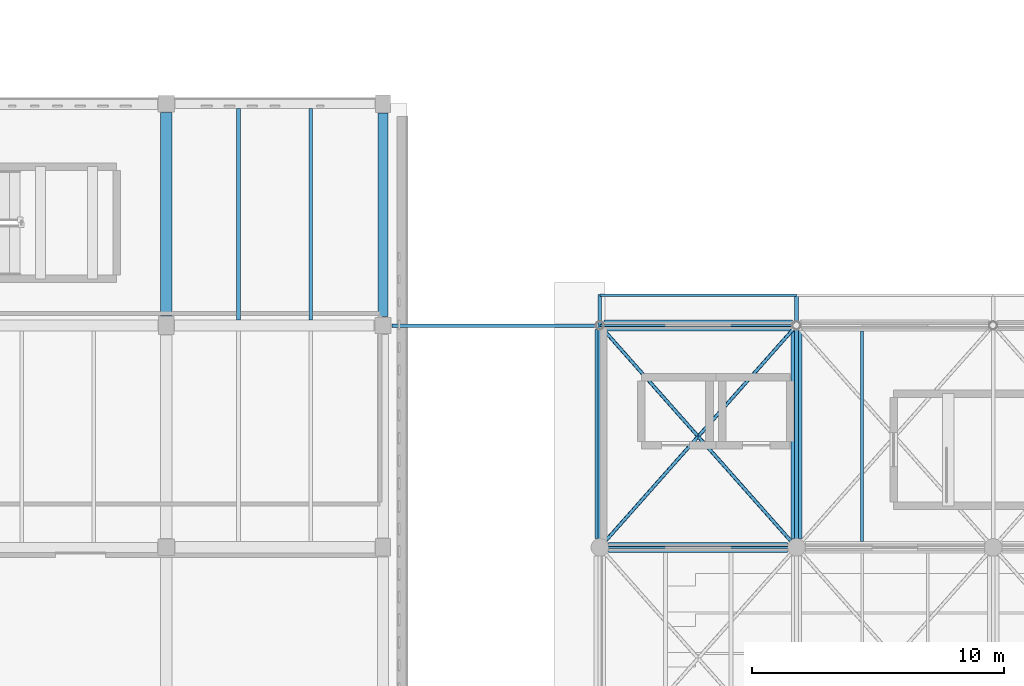
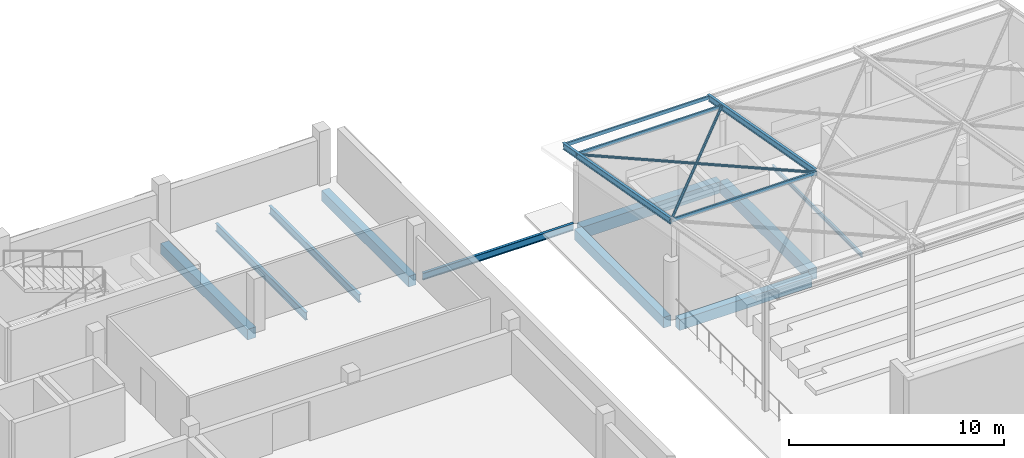
# One storey, part 6 of 34: 10 beams, 7 members.
"""IFC4 building model written with IfcOpenShell, lengths in metres."""

from ifc_helpers import new_model, si_unit, direction, frame, origin, origin_2d, place, context, subcontext, project, spatial, rectangle, hollow_rectangle, hollow_circle, i_section, extrude, material, material_profile, profile_set, type_object, element, save


model = new_model("IFC4")

# Units and contexts
model_context = context("Model", 3, precision=1e-05, world=origin(), true_north=direction((0.0, 1.0)))
body_context = subcontext(model_context, "Body", "Model", "MODEL_VIEW")
ifc_project = project(units=[si_unit("LENGTHUNIT", "METRE"), si_unit("AREAUNIT", "SQUARE_METRE"), si_unit("VOLUMEUNIT", "CUBIC_METRE"), si_unit("PLANEANGLEUNIT", "RADIAN"), si_unit("MASSUNIT", "GRAM", prefix="KILO")], contexts=[model_context])

# Site, building, storey
site_placement = place(None, origin())
site = spatial("IfcSite", under=ifc_project, at=site_placement, CompositionType="ELEMENT")
building_placement = place(site_placement, origin())
building = spatial("IfcBuilding", under=site, at=building_placement, Name="Varnakota Cinema and Media Centre", CompositionType="ELEMENT")
storey_placement = place(building_placement, frame((0.0, 0.0, 19.050048828125)))
storey = spatial("IfcBuildingStorey", under=building, at=storey_placement, Name="L05", CompositionType="ELEMENT", Elevation=19.050048828125)

# Beams
ifc_material_1 = material(Name="Concrete M35", Category="concrete")
ifc_material_profile_1 = material_profile(ifc_material_1, rectangle(XDim=0.39990234375, YDim=0.60009765625, at=origin_2d()), Name="RCB 400x600")
ifc_profile_set_1 = profile_set([ifc_material_profile_1], Name="Concrete M35")
beam_type_1 = type_object("IfcBeamType", Name="BM-RC-400x600", PredefinedType="BEAM", material=ifc_profile_set_1)
beam_1_placement = place(storey_placement, frame((51.949951171875, 17.60009765625, -0.550048828125), z_axis=(1.0, 0.0, 0.0), x_axis=(0.0, 1.0, 0.0)))
element("IfcBeam", 1, at=beam_1_placement, inside=storey, type_object=beam_type_1, Name="L05 girder G-H/3", PredefinedType="BEAM", context=body_context, shape_type="SweptSolid", body=[
    extrude(rectangle(XDim=0.39990234375, YDim=0.60009765625, at=origin_2d()), origin(), (0.0, 0.0, 1.0), 7.10009765625),
])
beam_2_placement = place(storey_placement, frame((43.0, 26.75, -0.550048828125), z_axis=(0.0, 1.0, 0.0), x_axis=(-1.0, 0.0, 0.0)))
element("IfcBeam", 2, at=beam_2_placement, inside=storey, type_object=beam_type_1, Name="L05 girder F/4-5", PredefinedType="BEAM", context=body_context, shape_type="SweptSolid", body=[
    extrude(rectangle(XDim=0.39990234375, YDim=0.60009765625, at=origin_2d()), origin(), (0.0, 0.0, 1.0), 8.074951171875),
])
beam_3_placement = place(storey_placement, frame((51.60009765625, 17.949951171875, -0.550048828125), z_axis=(0.0, 1.0, 0.0), x_axis=(-1.0, 0.0, 0.0)))
element("IfcBeam", 3, at=beam_3_placement, inside=storey, type_object=beam_type_1, Name="L05 girder G/3-4", PredefinedType="BEAM", context=body_context, shape_type="SweptSolid", body=[
    extrude(rectangle(XDim=0.39990234375, YDim=0.60009765625, at=origin_2d()), origin(), (0.0, 0.0, 1.0), 8.2880859375),
])
ifc_material_2 = material(Name="Concrete M35", Category="concrete")
ifc_material_profile_2 = material_profile(ifc_material_2, rectangle(XDim=0.449951171875, YDim=0.60009765625, at=origin_2d()), Name="RCB 450x600")
ifc_profile_set_2 = profile_set([ifc_material_profile_2], Name="Concrete M35")
beam_type_2 = type_object("IfcBeamType", Name="BM-RC-450x600", PredefinedType="BEAM", material=ifc_profile_set_2)
beam_4_placement = place(storey_placement, frame((34.39990234375, 26.77490234375, -0.550048828125), z_axis=(0.0, 1.0, 0.0), x_axis=(-1.0, 0.0, 0.0)))
element("IfcBeam", 4, at=beam_4_placement, inside=storey, type_object=beam_type_2, Name="L05 girder E/4-5", PredefinedType="BEAM", context=body_context, shape_type="SweptSolid", body=[
    extrude(rectangle(XDim=0.449951171875, YDim=0.60009765625, at=origin_2d()), origin(), (0.0, 0.0, 1.0), 8.0751953125),
])
ifc_material_3 = material(Name="Concrete M35", Category="concrete")
ifc_material_profile_3 = material_profile(ifc_material_3, rectangle(XDim=0.449951171875, YDim=0.64990234375, at=origin_2d()), Name="RCB 450x650")
ifc_profile_set_3 = profile_set([ifc_material_profile_3], Name="Concrete M35")
beam_type_3 = type_object("IfcBeamType", Name="BM-RC-450x650", PredefinedType="BEAM", material=ifc_profile_set_3)
beam_5_placement = place(storey_placement, frame((51.761962890625, 26.39990234375, -0.574951171875), z_axis=(1.0, 0.0, 0.0), x_axis=(0.0, 1.0, 0.0)))
element("IfcBeam", 5, at=beam_5_placement, inside=storey, type_object=beam_type_3, Name="L05 girder G-H/4", PredefinedType="BEAM", context=body_context, shape_type="SweptSolid", body=[
    extrude(rectangle(XDim=0.449951171875, YDim=0.64990234375, at=origin_2d()), origin(), (0.0, 0.0, 1.0), 7.47607421875),
])
beam_6_placement = place(storey_placement, frame((59.39990234375, 17.949951171875, -0.574951171875), z_axis=(0.0, 1.0, 0.0), x_axis=(-1.0, 0.0, 0.0)))
element("IfcBeam", 6, at=beam_6_placement, inside=storey, type_object=beam_type_3, Name="L05 girder H/3-4", PredefinedType="BEAM", context=body_context, shape_type="SweptSolid", body=[
    extrude(rectangle(XDim=0.449951171875, YDim=0.64990234375, at=origin_2d()), origin(), (0.0, 0.0, 1.0), 8.2880859375),
])
ifc_material_4 = material(Name="Structural steel Grade 350 (E350)", Category="steel")
ifc_material_profile_4 = material_profile(ifc_material_4, i_section(OverallWidth=0.110107421875, OverallDepth=0.22509765625, WebThickness=0.006591796875, FlangeThickness=0.01171875, FilletRadius=0.011962890625, at=origin_2d()), Name="ISMB 225")
ifc_profile_set_4 = profile_set([ifc_material_profile_4], Name="Structural steel Grade 350 (E350)")
beam_type_4 = type_object("IfcBeamType", Name="BM-ST-ISMB225", PredefinedType="JOIST", material=ifc_profile_set_4)
beam_7_placement = place(storey_placement, frame((62.0, 17.824951171875, -0.362548828125), z_axis=(0.0, 1.0, 0.0), x_axis=(-1.0, 0.0, 0.0)))
element("IfcBeam", 7, at=beam_7_placement, inside=storey, type_object=beam_type_4, Name="L05 steel joist H-J/3-4 #1", PredefinedType="JOIST", context=body_context, shape_type="SweptSolid", body=[
    extrude(i_section(OverallWidth=0.110107421875, OverallDepth=0.22509765625, WebThickness=0.006591796875, FlangeThickness=0.01171875, FilletRadius=0.011962890625, at=origin_2d()), origin(), (0.0, 0.0, 1.0), 8.35009765625),
])
ifc_material_5 = material(Name="Structural steel Grade 350 (E350)", Category="steel")
ifc_material_profile_5 = material_profile(ifc_material_5, i_section(OverallWidth=0.139892578125, OverallDepth=0.39990234375, WebThickness=0.0087890625, FlangeThickness=0.01611328125, FilletRadius=0.013916015625, at=origin_2d()), Name="ISMB 400")
ifc_profile_set_5 = profile_set([ifc_material_profile_5], Name="Structural steel Grade 350 (E350)")
beam_type_5 = type_object("IfcBeamType", Name="BM-ST-ISMB400", PredefinedType="JOIST", material=ifc_profile_set_5)
beam_8_placement = place(storey_placement, frame((43.35009765625, 26.39990234375, -0.199951171875), z_axis=(1.0, 0.0, 0.0), x_axis=(0.0, 1.0, 0.0)))
element("IfcBeam", 8, at=beam_8_placement, inside=storey, type_object=beam_type_5, Name="L05 girder F-G/4", PredefinedType="JOIST", context=body_context, shape_type="SweptSolid", body=[
    extrude(i_section(OverallWidth=0.139892578125, OverallDepth=0.39990234375, WebThickness=0.0087890625, FlangeThickness=0.01611328125, FilletRadius=0.013916015625, at=origin_2d()), origin(), (0.0, 0.0, 1.0), 8.087890625),
])
ifc_material_6 = material(Name="Structural steel Grade 350 (E350)", Category="steel")
ifc_material_profile_6 = material_profile(ifc_material_6, i_section(OverallWidth=0.14990234375, OverallDepth=0.449951171875, WebThickness=0.009521484375, FlangeThickness=0.017333984375, FilletRadius=0.014892578125, at=origin_2d()), Name="ISMB 450")
ifc_profile_set_6 = profile_set([ifc_material_profile_6], Name="Structural steel Grade 350 (E350)")
beam_type_6 = type_object("IfcBeamType", Name="BM-ST-ISMB450", PredefinedType="BEAM", material=ifc_profile_set_6)
for number, where, z_axis, x_axis, name in (
    (9, (37.2666015625, 26.625, -0.47509765625), (0.0, 1.0, 0.0), (-1.0, 0.0, 0.0), "L05 steel joist E-F/4-5 #1"),
    (10, (40.13330078125, 26.625, -0.47509765625), (0.0, 1.0, 0.0), (-1.0, 0.0, 0.0), "L05 steel joist E-F/4-5 #2"),
):
    element("IfcBeam", number, at=place(storey_placement, frame(where, z_axis=z_axis, x_axis=x_axis)), inside=storey, type_object=beam_type_6, Name=name, PredefinedType="BEAM", context=body_context, shape_type="SweptSolid", body=[
        extrude(i_section(OverallWidth=0.14990234375, OverallDepth=0.449951171875, WebThickness=0.009521484375, FlangeThickness=0.017333984375, FilletRadius=0.014892578125, at=origin_2d()), origin(), (0.0, 0.0, 1.0), 8.375),
    ])

# Members
ifc_material_7 = material(Name="Structural steel S355 (YSt 355)", Category="steel")
ifc_material_profile_7 = material_profile(ifc_material_7, hollow_circle(Radius=0.06982421875, WallThickness=0.006103515625, at=origin_2d()), Name="CHS 139.7x6.0")
ifc_profile_set_7 = profile_set([ifc_material_profile_7], Name="Structural steel S355 (YSt 355)")
member_type_1 = type_object("IfcMemberType", Name="MEM-ST-CHS139_7x6_0", PredefinedType="CHORD", material=ifc_profile_set_7)
for number, where, z_axis, x_axis, name in (
    (11, (51.60009765625, 17.60009765625, 5.39990234375), (0.657369207518, 0.741649421427, -0.133498541955), (-0.748347876133, 0.663306457294, 0.0), "V3 canopy diagrid A 1.2"),
    (12, (59.39990234375, 17.60009765625, 5.39990234375), (-0.657369207518, 0.741649421427, -0.133498541955), (-0.748347876133, -0.663306457294, 0.0), "V3 canopy diagrid B 1.2"),
):
    element("IfcMember", number, at=place(storey_placement, frame(where, z_axis=z_axis, x_axis=x_axis)), inside=storey, type_object=member_type_1, Name=name, PredefinedType="CHORD", context=body_context, shape_type="SweptSolid", body=[
        extrude(hollow_circle(Radius=0.06982421875, WallThickness=0.006103515625, at=origin_2d()), origin(), (0.0, 0.0, 1.0), 11.865234375),
    ])
ifc_material_8 = material(Name="Structural steel Grade 350 (E350)", Category="steel")
ifc_material_profile_8 = material_profile(ifc_material_8, i_section(OverallWidth=0.139892578125, OverallDepth=0.35009765625, WebThickness=0.008056640625, FlangeThickness=0.01416015625, FilletRadius=0.013916015625, at=origin_2d()), Name="ISMB 350")
ifc_profile_set_8 = profile_set([ifc_material_profile_8], Name="Structural steel Grade 350 (E350)")
member_type_2 = type_object("IfcMemberType", Name="MEM-ST-ISMB350", PredefinedType="RAFTER", material=ifc_profile_set_8)
for number, where, z_axis, x_axis, name in (
    (13, (51.60009765625, 17.60009765625, 5.39990234375), (0.0, 0.984182486105, -0.177157653077), (-1.0, 0.0, 0.0), "V3 pavilion roof north rafter 1"),
    (14, (59.39990234375, 17.60009765625, 5.39990234375), (0.0, 0.984182486105, -0.177157653077), (-1.0, 0.0, 0.0), "V3 pavilion roof north rafter 2"),
):
    element("IfcMember", number, at=place(storey_placement, frame(where, z_axis=z_axis, x_axis=x_axis)), inside=storey, type_object=member_type_2, Name=name, PredefinedType="RAFTER", context=body_context, shape_type="SweptSolid", body=[
        extrude(i_section(OverallWidth=0.139892578125, OverallDepth=0.35009765625, WebThickness=0.008056640625, FlangeThickness=0.01416015625, FilletRadius=0.013916015625, at=origin_2d()), origin(), (0.0, 0.0, 1.0), 10.16064453125),
    ])
ifc_material_9 = material(Name="Structural steel S355 (YSt 355)", Category="steel")
ifc_material_profile_9 = material_profile(ifc_material_9, hollow_rectangle(XDim=0.10009765625, YDim=0.199951171875, WallThickness=0.006103515625, InnerFilletRadius=0.006103515625, OuterFilletRadius=0.011962890625, at=origin_2d()), Name="RHS 200x100x6")
ifc_profile_set_9 = profile_set([ifc_material_profile_9], Name="Structural steel S355 (YSt 355)")
member_type_3 = type_object("IfcMemberType", Name="MEM-ST-RHS200x100x6", PredefinedType="PURLIN", material=ifc_profile_set_9)
for number, where, z_axis, x_axis, name in (
    (15, (51.60009765625, 17.60009765625, 5.39990234375), (1.0, 0.0, 0.0), (0.0, 1.0, 0.0), "V3 canopy purlin tie 1.17"),
    (16, (51.60009765625, 26.39990234375, 3.81591796875), (1.0, 0.0, 0.0), (0.0, 1.0, 0.0), "V3 canopy purlin tie 1.26"),
    (17, (51.60009765625, 27.60009765625, 3.599853515625), (1.0, 0.0, 0.0), (0.0, 1.0, 0.0), "V3 canopy purlin tie 1.27"),
):
    element("IfcMember", number, at=place(storey_placement, frame(where, z_axis=z_axis, x_axis=x_axis)), inside=storey, type_object=member_type_3, Name=name, PredefinedType="PURLIN", context=body_context, shape_type="SweptSolid", body=[
        extrude(hollow_rectangle(XDim=0.10009765625, YDim=0.199951171875, WallThickness=0.006103515625, InnerFilletRadius=0.006103515625, OuterFilletRadius=0.011962890625, at=origin_2d()), origin(), (0.0, 0.0, 1.0), 7.7998046875),
    ])

save(model, "model.ifc")
